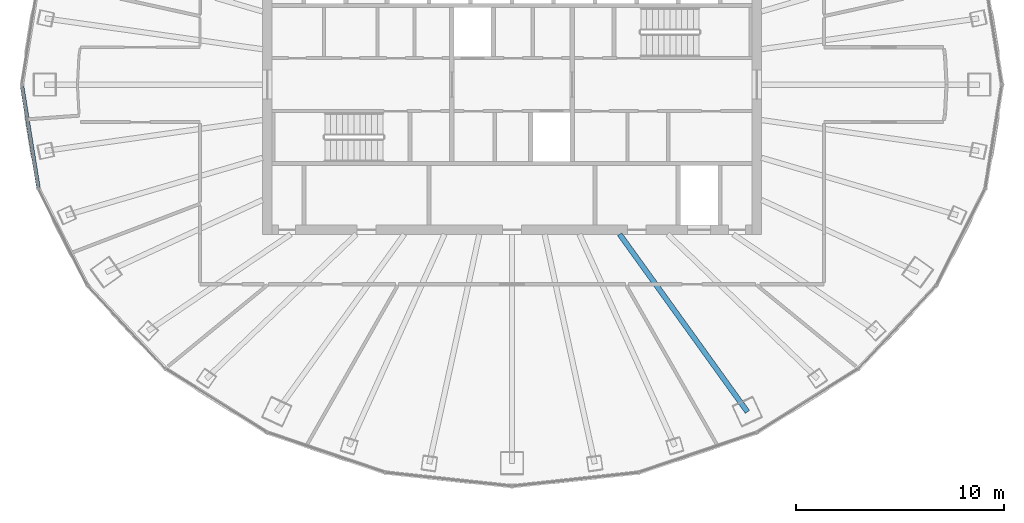
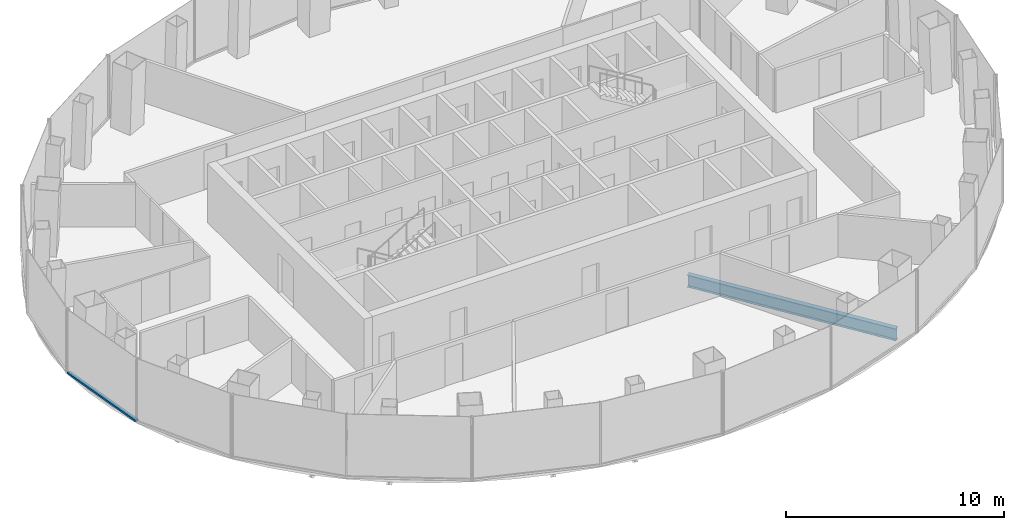
# One storey, part 3 of 13: 1 beam, 1 member, 1 element without a shape of its own.
"""IFC4 building model written with IfcOpenShell, lengths in metres."""

from ifc_helpers import new_model, si_unit, direction, frame, origin, origin_2d, place, context, subcontext, project, spatial, rectangle, i_section, extrude, material, layer, layer_set, material_profile, profile_set, type_object, element, aggregate, save


model = new_model("IFC4")

# Units and contexts
model_context = context("Model", 3, precision=1e-05, world=origin(), true_north=direction((0.0, 1.0)))
body_context = subcontext(model_context, "Body", "Model", "MODEL_VIEW")
ifc_project = project(units=[si_unit("LENGTHUNIT", "METRE"), si_unit("AREAUNIT", "SQUARE_METRE"), si_unit("VOLUMEUNIT", "CUBIC_METRE"), si_unit("PLANEANGLEUNIT", "RADIAN"), si_unit("MASSUNIT", "GRAM", prefix="KILO")], contexts=[model_context])

# Site, building, storey
site_placement = place(None, origin())
site = spatial("IfcSite", under=ifc_project, at=site_placement, CompositionType="ELEMENT")
building_placement = place(site_placement, origin())
building = spatial("IfcBuilding", under=site, at=building_placement, Name="Siaravel Broadcast Tower", CompositionType="ELEMENT")
storey_placement = place(building_placement, frame((0.0, 0.0, 171.89990234375)))
storey = spatial("IfcBuildingStorey", under=building, at=storey_placement, Name="L41", CompositionType="ELEMENT", Elevation=171.89990234375)

# Beam
ifc_material_1 = material(Name="Steel S355", Category="steel")
ifc_material_profile_1 = material_profile(ifc_material_1, i_section(OverallWidth=0.2529296875, OverallDepth=0.677978515625, WebThickness=0.01171875, FlangeThickness=0.01611328125, FilletRadius=0.01513671875, at=origin_2d()))
ifc_profile_set_1 = profile_set([ifc_material_profile_1], Name="Steel S355")
beam_type = type_object("IfcBeamType", Name="BM-UB 686x254x125", PredefinedType="BEAM", material=ifc_profile_set_1)
beam_placement = place(storey_placement, frame((11.326171875, -15.74169921875, -0.489013671875), z_axis=(-0.584035158, 0.811728362, 0.0), x_axis=(-0.811728362, -0.584035158, 0.0)))
element("IfcBeam", 1, at=beam_placement, inside=storey, type_object=beam_type, Name="Radial beam RB31", PredefinedType="BEAM", context=body_context, shape_type="SweptSolid", body=[
    extrude(i_section(OverallWidth=0.2529296875, OverallDepth=0.677978515625, WebThickness=0.01171875, FlangeThickness=0.01611328125, FilletRadius=0.01513671875, at=origin_2d()), origin(), (0.0, 0.0, 1.0), 10.52294921875),
])

# Curtain wall, member
ifc_material_2 = material(Name="Aluminium 6063-T6", Category="aluminium")
ifc_layer = layer(ifc_material_2, 0.179931640625)
ifc_layer_set = layer_set([ifc_layer], Name="Aluminium 6063-T6")
curtain_wall_type = type_object("IfcCurtainWallType", Name="Unitised curtain wall, zone 3", PredefinedType="NOTDEFINED", material=ifc_layer_set)
curtain_wall_placement = place(storey_placement, origin())
curtain_wall = element("IfcCurtainWall", 2, at=curtain_wall_placement, inside=storey, type_object=curtain_wall_type, Name="L41 Unitised curtain wall, zone 3 07", PredefinedType="NOTDEFINED")
ifc_material_profile_2 = material_profile(ifc_material_2, rectangle(XDim=0.179931640625, YDim=0.10009765625, at=origin_2d()))
ifc_profile_set_2 = profile_set([ifc_material_profile_2], Name="Aluminium 6063-T6")
member_type = type_object("IfcMemberType", Name="CW-Z3 transom", PredefinedType="USERDEFINED", material=ifc_profile_set_2)
member_placement = place(storey_placement, frame((-23.569091796875, -0.05908203125, 0.050048828125), z_axis=(0.158654191, -0.987334213, 0.0), x_axis=(0.987334213, 0.158654191, 0.0)))
member = element("IfcMember", 3, at=member_placement, type_object=member_type, Name="CW-Z3 transom 1", ObjectType="TRANSOM", PredefinedType="USERDEFINED", context=body_context, shape_type="SweptSolid", body=[
    extrude(rectangle(XDim=0.179931640625, YDim=0.10009765625, at=origin_2d()), origin(), (0.0, 0.0, 1.0), 4.97802734375),
])
aggregate(curtain_wall, [member])

save(model, "model.ifc")
